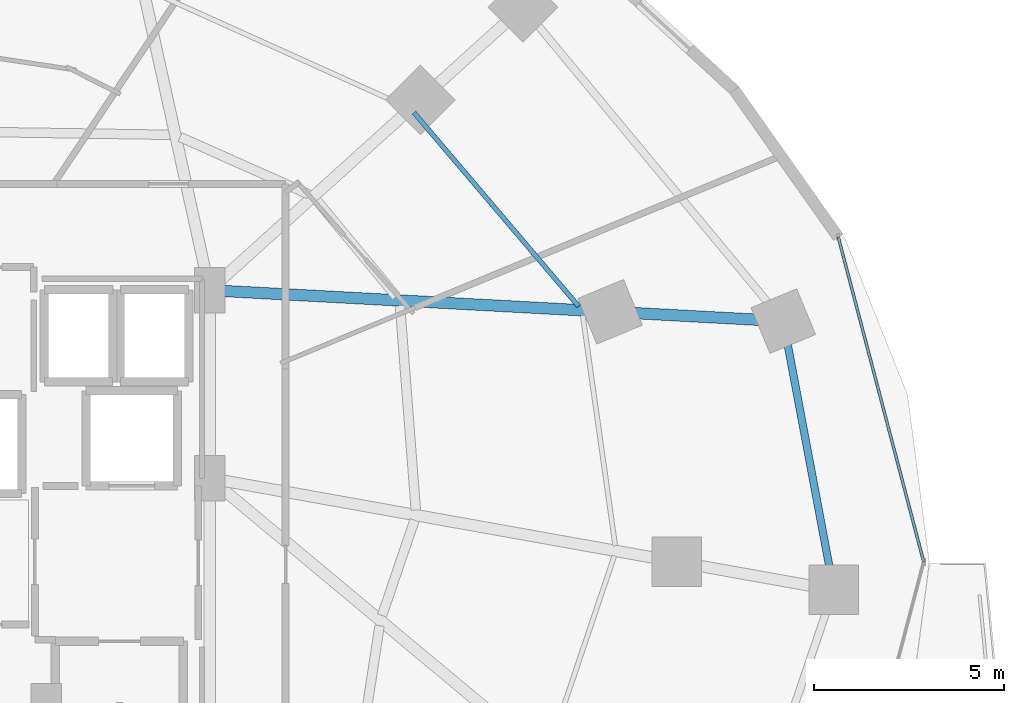
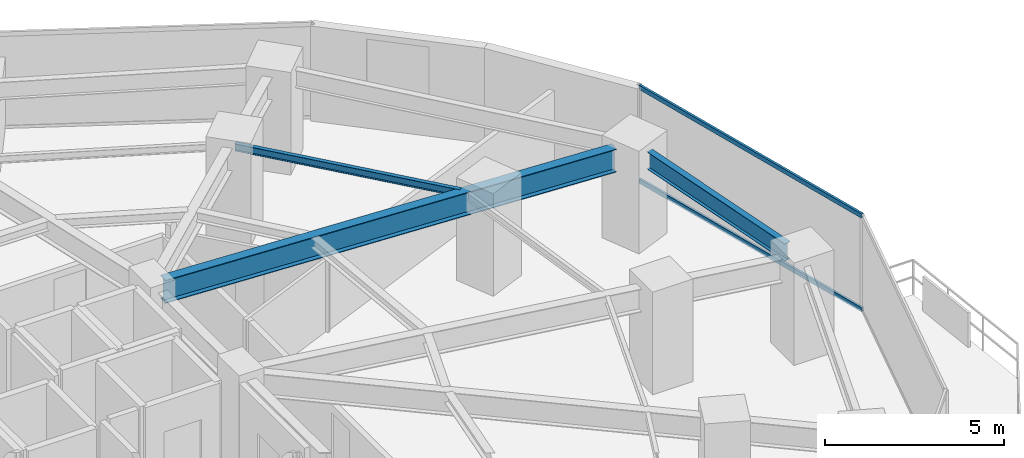
# One storey, part 17 of 35: 3 beams, 2 members, 1 element without a shape of its own.
"""IFC4 building model written with IfcOpenShell, lengths in metres."""

from ifc_helpers import new_model, si_unit, direction, frame, origin, origin_2d, place, context, subcontext, project, spatial, hollow_rectangle, i_section, extrude, material, material_profile, profile_set, type_object, element, aggregate, save


model = new_model("IFC4")

# Units and contexts
model_context = context("Model", 3, precision=1e-05, world=origin(), true_north=direction((0.0, 1.0)))
body_context = subcontext(model_context, "Body", "Model", "MODEL_VIEW")
ifc_project = project(units=[si_unit("LENGTHUNIT", "METRE"), si_unit("AREAUNIT", "SQUARE_METRE"), si_unit("VOLUMEUNIT", "CUBIC_METRE"), si_unit("PLANEANGLEUNIT", "RADIAN"), si_unit("MASSUNIT", "GRAM", prefix="KILO")], contexts=[model_context])

# Site, building, storey
site_placement = place(None, origin())
site = spatial("IfcSite", under=ifc_project, at=site_placement, CompositionType="ELEMENT")
building_placement = place(site_placement, origin())
building = spatial("IfcBuilding", under=site, at=building_placement, Name="Vorneva Point Tower", CompositionType="ELEMENT")
storey_placement = place(building_placement, frame((0.0, 0.0, 45.0)))
storey = spatial("IfcBuildingStorey", under=building, at=storey_placement, Name="L11", CompositionType="ELEMENT", Elevation=45.0)

# Beams
ifc_material_1 = material(Name="Steel S355", Category="steel")
ifc_material_profile_1 = material_profile(ifc_material_1, i_section(OverallWidth=0.300048828125, OverallDepth=0.7880859375, WebThickness=0.014404296875, FlangeThickness=0.02197265625, at=origin_2d()), Name="80Sh1")
ifc_profile_set_1 = profile_set([ifc_material_profile_1], Name="Steel S355")
beam_type_1 = type_object("IfcBeamType", Name="BM-GRD-80Sh1", PredefinedType="USERDEFINED", material=ifc_profile_set_1)
beam_1_placement = place(storey_placement, frame((63.21728515625, 32.37109375, 2.845947265625), z_axis=(-0.998554288689, 0.053752511954, 0.0), x_axis=(-0.053752511954, -0.998554288689, 0.0)))
element("IfcBeam", 1, at=beam_1_placement, inside=storey, type_object=beam_type_1, Name="L11 Radial Primary Girder 02", ObjectType="GIRDER", PredefinedType="USERDEFINED", context=body_context, shape_type="SweptSolid", body=[
    extrude(i_section(OverallWidth=0.300048828125, OverallDepth=0.7880859375, WebThickness=0.014404296875, FlangeThickness=0.02197265625, at=origin_2d()), origin(), (0.0, 0.0, 1.0), 14.148193359375),
])
ifc_material_profile_2 = material_profile(ifc_material_1, i_section(OverallWidth=0.1240234375, OverallDepth=0.248046875, WebThickness=0.0048828125, FlangeThickness=0.008056640625, at=origin_2d()), Name="25B1")
ifc_profile_set_2 = profile_set([ifc_material_profile_2], Name="Steel S355")
beam_type_2 = type_object("IfcBeamType", Name="BM-JST-25B1", PredefinedType="JOIST", material=ifc_profile_set_2)
beam_2_placement = place(storey_placement, frame((58.4658203125, 32.727294921875, 3.115966796875), z_axis=(-0.647796679049, 0.761813272799, 0.0), x_axis=(-0.761813272799, -0.647796679049, 0.0)))
element("IfcBeam", 2, at=beam_2_placement, inside=storey, type_object=beam_type_2, Name="L11 Secondary Floor Beam 1.02", PredefinedType="JOIST", context=body_context, shape_type="SweptSolid", body=[
    extrude(i_section(OverallWidth=0.1240234375, OverallDepth=0.248046875, WebThickness=0.0048828125, FlangeThickness=0.008056640625, at=origin_2d()), origin(), (0.0, 0.0, 1.0), 6.69140625),
])
ifc_material_profile_3 = material_profile(ifc_material_1, i_section(OverallWidth=0.198974609375, OverallDepth=0.595947265625, WebThickness=0.010009765625, FlangeThickness=0.014892578125, at=origin_2d()), Name="60B1")
ifc_profile_set_3 = profile_set([ifc_material_profile_3], Name="Steel S355")
beam_type_3 = type_object("IfcBeamType", Name="BM-SPN-60B1", PredefinedType="SPANDREL", material=ifc_profile_set_3)
beam_3_placement = place(storey_placement, frame((65.06494140625, 25.885009765625, 2.94189453125), z_axis=(-0.184383004327, 0.982854469245, 0.0), x_axis=(-0.982854469245, -0.184383004327, 0.0)))
element("IfcBeam", 3, at=beam_3_placement, inside=storey, type_object=beam_type_3, Name="L11 Perimeter Spandrel Ring Beam 01", PredefinedType="SPANDREL", context=body_context, shape_type="SweptSolid", body=[
    extrude(i_section(OverallWidth=0.198974609375, OverallDepth=0.595947265625, WebThickness=0.010009765625, FlangeThickness=0.014892578125, at=origin_2d()), origin(), (0.0, 0.0, 1.0), 5.92919921875),
])

# Curtain wall, members
ifc_material_2 = material(Name="Pale anodised aluminium", Category="aluminium")
curtain_wall_type = type_object("IfcCurtainWallType", Name="CW-HTL-SYS", PredefinedType="NOTDEFINED", material=ifc_material_2)
curtain_wall_placement = place(storey_placement, origin())
curtain_wall = element("IfcCurtainWall", 4, at=curtain_wall_placement, inside=storey, type_object=curtain_wall_type, Name="L11 Unitised Curtain Wall CW-L11-R01", PredefinedType="NOTDEFINED")
ifc_material_profile_4 = material_profile(ifc_material_2, hollow_rectangle(XDim=0.074951171875, YDim=0.14990234375, WallThickness=0.00390625, at=origin_2d()), Name="AL-TRN 150x75x4")
ifc_profile_set_4 = profile_set([ifc_material_profile_4], Name="Pale anodised aluminium")
member_type = type_object("IfcMemberType", Name="CW-TRN-150", PredefinedType="USERDEFINED", material=ifc_profile_set_4)
member_1_placement = place(storey_placement, frame((67.550048828125, 26.0, 0.02001953125), z_axis=(-0.254358772746, 0.967109928978, 0.0), x_axis=(-0.967109928978, -0.254358772746, 0.0)))
member_1 = element("IfcMember", 5, at=member_1_placement, type_object=member_type, Name="CW-L11-R01 Transom 04.1", ObjectType="TRANSOM", PredefinedType="USERDEFINED", context=body_context, shape_type="SweptSolid", body=[
    extrude(hollow_rectangle(XDim=0.074951171875, YDim=0.14990234375, WallThickness=0.00390625, at=origin_2d()), origin(), (0.0, 0.0, 1.0), 8.84375),
])
member_2_placement = place(storey_placement, frame((67.550048828125, 26.0, 3.219970703125), z_axis=(-0.254358772746, 0.967109928978, 0.0), x_axis=(-0.967109928978, -0.254358772746, 0.0)))
member_2 = element("IfcMember", 6, at=member_2_placement, type_object=member_type, Name="CW-L11-R01 Transom 04.2", ObjectType="TRANSOM", PredefinedType="USERDEFINED", context=body_context, shape_type="SweptSolid", body=[
    extrude(hollow_rectangle(XDim=0.074951171875, YDim=0.14990234375, WallThickness=0.00390625, at=origin_2d()), origin(), (0.0, 0.0, 1.0), 8.84375),
])
aggregate(curtain_wall, [member_1, member_2])

save(model, "model.ifc")
